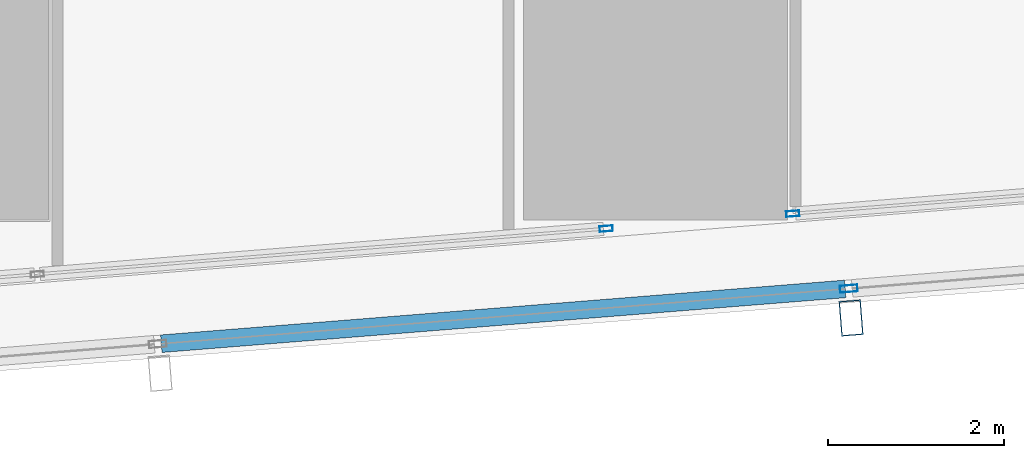
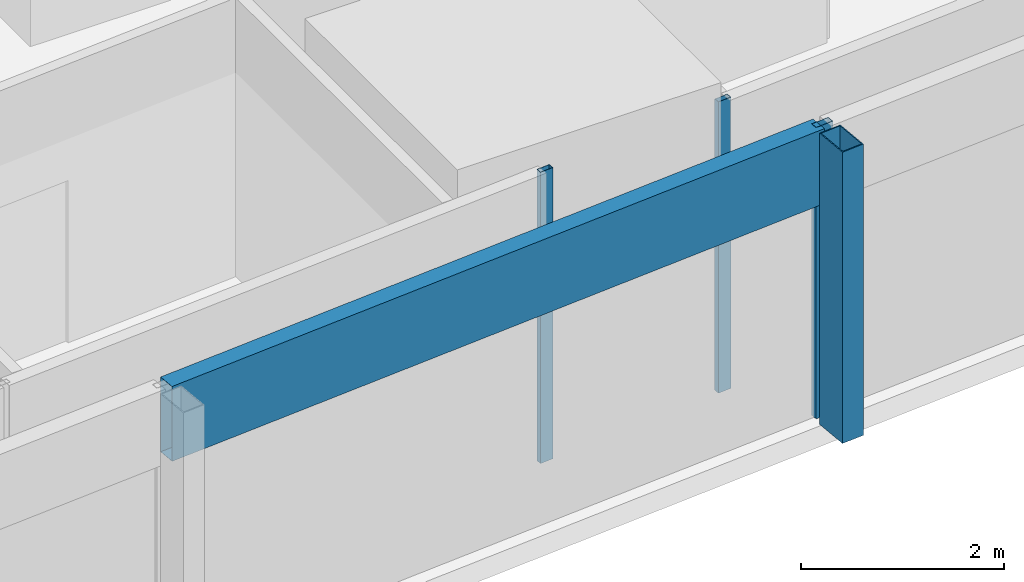
# One storey, part 11 of 45: 5 members, 3 elements without a shape of their own.
"""IFC4 building model written with IfcOpenShell, lengths in metres."""

from ifc_helpers import new_model, si_unit, direction, frame, origin, origin_2d, place, context, subcontext, project, spatial, hollow_rectangle, extrude, material, material_profile, profile_set, type_object, element, aggregate, save


model = new_model("IFC4")

# Units and contexts
model_context = context("Model", 3, precision=1e-05, world=origin(), true_north=direction((0.0, 1.0)))
body_context = subcontext(model_context, "Body", "Model", "MODEL_VIEW")
ifc_project = project(units=[si_unit("LENGTHUNIT", "METRE"), si_unit("AREAUNIT", "SQUARE_METRE"), si_unit("VOLUMEUNIT", "CUBIC_METRE"), si_unit("PLANEANGLEUNIT", "RADIAN"), si_unit("MASSUNIT", "GRAM", prefix="KILO")], contexts=[model_context])

# Site, building, storey
site_placement = place(None, origin())
site = spatial("IfcSite", under=ifc_project, at=site_placement, CompositionType="ELEMENT")
building_placement = place(site_placement, origin())
building = spatial("IfcBuilding", under=site, at=building_placement, Name="Rekha Terrace Tower", CompositionType="ELEMENT")
storey_placement = place(building_placement, frame((0.0, 0.0, 77.89990234375)))
storey = spatial("IfcBuildingStorey", under=building, at=storey_placement, Name="L19", CompositionType="ELEMENT", Elevation=77.89990234375)

# Curtain wall, member
ifc_material_1 = material(Name="Aluminium framing", Category="aluminium")
curtain_wall_type_1 = type_object("IfcCurtainWallType", Name="CW2 double skin outer glazing", PredefinedType="USERDEFINED", material=ifc_material_1)
curtain_wall_1_placement = place(storey_placement, origin())
curtain_wall_1 = element("IfcCurtainWall", 1, at=curtain_wall_1_placement, inside=storey, type_object=curtain_wall_type_1, Name="CW2 double skin outer glazing", ObjectType="DOUBLE SKIN OUTER GLAZING", PredefinedType="USERDEFINED")
ifc_material_2 = material(Name="Steel S355 with fluorocarbon finish", Category="steel")
ifc_material_profile_1 = material_profile(ifc_material_2, hollow_rectangle(XDim=0.25, YDim=0.39990234375, WallThickness=0.012451171875, at=origin_2d()), Name="RHS400x250x12.5")
ifc_profile_set_1 = profile_set([ifc_material_profile_1], Name="Steel S355 with fluorocarbon finish")
member_type_1 = type_object("IfcMemberType", Name="BL1 facade blade RHS 400 x 250", PredefinedType="USERDEFINED", material=ifc_profile_set_1)
member_1_placement = place(storey_placement, frame((61.022705078125, 5.78515625, 0.0), z_axis=(0.0, 0.0, 1.0), x_axis=(0.996805139821, 0.079871855039, 0.0)))
member_1 = element("IfcMember", 2, at=member_1_placement, type_object=member_type_1, Name="Facade blade", ObjectType="FACADE BLADE", PredefinedType="USERDEFINED", context=body_context, shape_type="SweptSolid", body=[
    extrude(hollow_rectangle(XDim=0.25, YDim=0.39990234375, WallThickness=0.012451171875, at=origin_2d()), origin(), (0.0, 0.0, 1.0), 3.5),
])

curtain_wall_type_2 = type_object("IfcCurtainWallType", Name="CW1 double skin inner glazing", PredefinedType="USERDEFINED", material=ifc_material_1)
curtain_wall_2_placement = place(storey_placement, origin())
curtain_wall_2 = element("IfcCurtainWall", 3, at=curtain_wall_2_placement, inside=storey, type_object=curtain_wall_type_2, Name="CW1 double skin inner glazing", ObjectType="DOUBLE SKIN INNER GLAZING", PredefinedType="USERDEFINED")
ifc_material_3 = material(Name="Aluminium mullion section", Category="aluminium")
ifc_material_profile_2 = material_profile(ifc_material_3, hollow_rectangle(XDim=0.06494140625, YDim=0.14990234375, WallThickness=0.00390625, at=origin_2d()), Name="AL RHS 65x150")
ifc_profile_set_2 = profile_set([ifc_material_profile_2], Name="Aluminium mullion section")
member_type_2 = type_object("IfcMemberType", Name="CW1 mullion RHS 65 x 150", PredefinedType="MULLION", material=ifc_profile_set_2)
member_2_placement = place(storey_placement, frame((58.23876953125, 6.801025390625, 0.0), z_axis=(0.0, 0.0, 1.0), x_axis=(-0.079872204468, 0.996805111821, 0.0)))
member_2 = element("IfcMember", 4, at=member_2_placement, type_object=member_type_2, Name="CW1 mullion 3", PredefinedType="MULLION", context=body_context, shape_type="SweptSolid", body=[
    extrude(hollow_rectangle(XDim=0.06494140625, YDim=0.14990234375, WallThickness=0.00390625, at=origin_2d()), origin(), (0.0, 0.0, 1.0), 3.5),
])
aggregate(curtain_wall_2, [member_2])

curtain_wall_3_placement = place(storey_placement, origin())
curtain_wall_3 = element("IfcCurtainWall", 5, at=curtain_wall_3_placement, inside=storey, type_object=curtain_wall_type_2, Name="CW1 double skin inner glazing", ObjectType="DOUBLE SKIN INNER GLAZING", PredefinedType="USERDEFINED")
member_3_placement = place(storey_placement, frame((60.35986328125, 6.97119140625, 0.0), z_axis=(0.0, 0.0, 1.0), x_axis=(-0.079872204416, 0.996805111826, 0.0)))
member_3 = element("IfcMember", 6, at=member_3_placement, type_object=member_type_2, Name="CW1 mullion 1", PredefinedType="MULLION", context=body_context, shape_type="SweptSolid", body=[
    extrude(hollow_rectangle(XDim=0.06494140625, YDim=0.14990234375, WallThickness=0.00390625, at=origin_2d()), origin(), (0.0, 0.0, 1.0), 3.5),
])
aggregate(curtain_wall_3, [member_3])

# Member
ifc_material_profile_3 = material_profile(ifc_material_3, hollow_rectangle(XDim=0.080078125, YDim=0.199951171875, WallThickness=0.00390625, at=origin_2d()), Name="AL RHS 80x200")
ifc_profile_set_3 = profile_set([ifc_material_profile_3], Name="Aluminium mullion section")
member_type_3 = type_object("IfcMemberType", Name="CW2 mullion RHS 80 x 200", PredefinedType="MULLION", material=ifc_profile_set_3)
member_4_placement = place(storey_placement, frame((60.99609375, 6.119140625, 0.0), z_axis=(0.0, 0.0, 1.0), x_axis=(-0.079872204468, 0.996805111821, 0.0)))
member_4 = element("IfcMember", 7, at=member_4_placement, type_object=member_type_3, Name="CW2 mullion 3", PredefinedType="MULLION", context=body_context, shape_type="SweptSolid", body=[
    extrude(hollow_rectangle(XDim=0.080078125, YDim=0.199951171875, WallThickness=0.00390625, at=origin_2d()), origin(), (0.0, 0.0, 1.0), 3.5),
])

ifc_material_4 = material(Name="Insulated aluminium spandrel box", Category="aluminium")
ifc_material_profile_4 = material_profile(ifc_material_4, hollow_rectangle(XDim=0.199951171875, YDim=0.89990234375, WallThickness=0.0029296875, at=origin_2d()), Name="AL SPANDREL BOX 200x900")
ifc_profile_set_4 = profile_set([ifc_material_profile_4], Name="Insulated aluminium spandrel box")
member_type_4 = type_object("IfcMemberType", Name="CW2 spandrel transom 200 x 900", PredefinedType="USERDEFINED", material=ifc_profile_set_4)
member_5_placement = place(storey_placement, frame((53.1806640625, 5.492919921875, 3.050048828125), z_axis=(0.996804920132, 0.079874596715, 0.0), x_axis=(-0.079874596715, 0.996804920132, 0.0)))
member_5 = element("IfcMember", 8, at=member_5_placement, type_object=member_type_4, Name="CW2 spandrel transom 2", ObjectType="TRANSOM", PredefinedType="USERDEFINED", context=body_context, shape_type="SweptSolid", body=[
    extrude(hollow_rectangle(XDim=0.199951171875, YDim=0.89990234375, WallThickness=0.0029296875, at=origin_2d()), origin(), (0.0, 0.0, 1.0), 7.80029296875),
])

aggregate(curtain_wall_1, [member_4, member_5, member_1])

save(model, "model.ifc")
